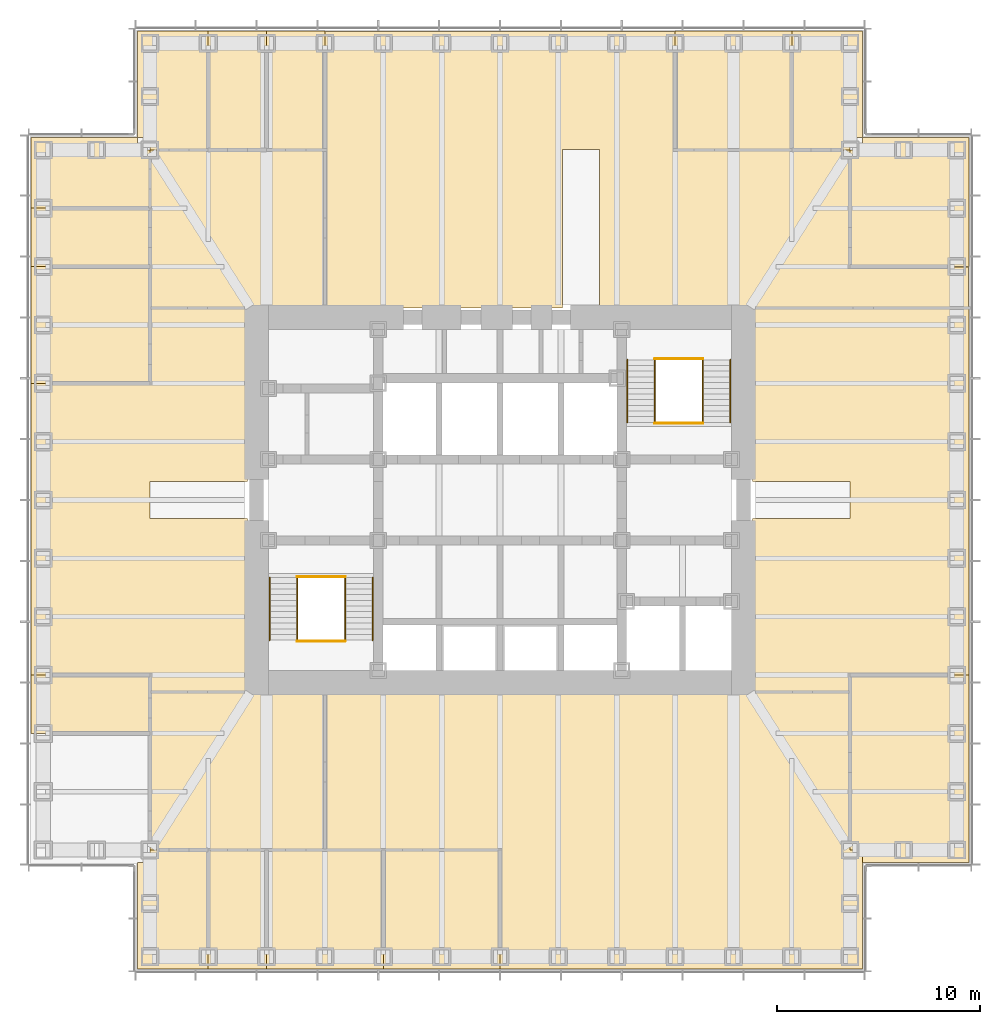
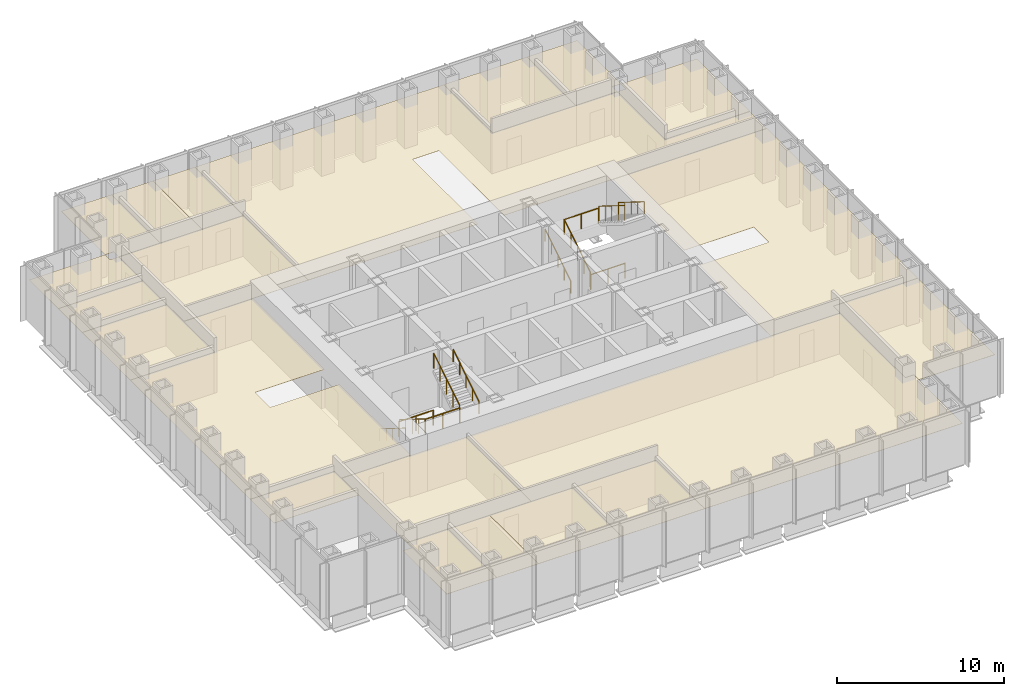
# One storey, part 17 of 17: 21 coverings, 12 railings.
"""IFC4 building model written with IfcOpenShell, lengths in metres."""

from ifc_helpers import new_model, si_unit, direction, frame, origin, origin_2d, place, context, subcontext, project, spatial, polyline, circle, outline, extrude, material, layer, layer_set, type_object, element, save


model = new_model("IFC4")

# Units and contexts
model_context = context("Model", 3, precision=1e-05, world=origin(), true_north=direction((0.0, 1.0)))
body_context = subcontext(model_context, "Body", "Model", "MODEL_VIEW")
ifc_project = project(units=[si_unit("LENGTHUNIT", "METRE"), si_unit("AREAUNIT", "SQUARE_METRE"), si_unit("VOLUMEUNIT", "CUBIC_METRE"), si_unit("PLANEANGLEUNIT", "RADIAN"), si_unit("MASSUNIT", "GRAM", prefix="KILO")], contexts=[model_context])

# Site, building, storey
site_placement = place(None, origin())
site = spatial("IfcSite", under=ifc_project, at=site_placement, CompositionType="ELEMENT")
building_placement = place(site_placement, origin())
building = spatial("IfcBuilding", under=site, at=building_placement, Name="Daluyong Arena Tower", CompositionType="ELEMENT")
storey_placement = place(building_placement, frame((0.0, 0.0, 158.5)))
storey = spatial("IfcBuildingStorey", under=building, at=storey_placement, Name="L35", CompositionType="ELEMENT", Elevation=158.5)

# Coverings
ifc_material_1 = material(Name="Mineral fibre ceiling tile", Category="gypsum board")
ifc_layer = layer(ifc_material_1, 0.02001953125)
ifc_layer_set = layer_set([ifc_layer], Name="Mineral fibre ceiling tile")
covering_type = type_object("IfcCoveringType", Name="Office ceiling", PredefinedType="CEILING", material=ifc_layer_set)
covering_1_placement = place(storey_placement, frame((0.0, 0.0, 2.89990234375)))
element("IfcCovering", 1, at=covering_1_placement, inside=storey, type_object=covering_type, Name="ceiling L35-01", PredefinedType="CEILING", context=body_context, shape_type="SweptSolid", body=[
    extrude(outline(polyline([(38.14990234375, 62.14990234375), (38.14990234375, 56.89990234375), (41.625, 56.89990234375), (41.625, 62.75), (38.75, 62.75), (38.75, 62.14990234375), (38.14990234375, 62.14990234375)])), origin(), (0.0, 0.0, 1.0), 0.02001953125),
])
covering_2_placement = place(storey_placement, frame((0.0, 0.0, 2.89990234375)))
element("IfcCovering", 2, at=covering_2_placement, inside=storey, type_object=covering_type, Name="ceiling L35-02", PredefinedType="CEILING", context=body_context, shape_type="SweptSolid", body=[
    extrude(outline(polyline([(41.625, 62.75), (41.625, 56.89990234375), (44.5, 56.89990234375), (44.5, 62.75), (41.625, 62.75)])), origin(), (0.0, 0.0, 1.0), 0.02001953125),
])
covering_3_placement = place(storey_placement, frame((0.0, 0.0, 2.89990234375)))
element("IfcCovering", 3, at=covering_3_placement, inside=storey, type_object=covering_type, Name="ceiling L35-03", PredefinedType="CEILING", context=body_context, shape_type="SweptSolid", body=[
    extrude(outline(polyline([(44.5, 62.75), (44.5, 56.89990234375), (50.25, 56.89990234375), (50.25, 62.75), (44.5, 62.75)])), origin(), (0.0, 0.0, 1.0), 0.02001953125),
])
covering_4_placement = place(storey_placement, frame((0.0, 0.0, 2.89990234375)))
element("IfcCovering", 4, at=covering_4_placement, inside=storey, type_object=covering_type, Name="ceiling L35-04", PredefinedType="CEILING", context=body_context, shape_type="SweptSolid", body=[
    extrude(outline(polyline([(50.25, 62.75), (50.25, 56.89990234375), (56.0, 56.89990234375), (56.0, 62.75), (50.25, 62.75)])), origin(), (0.0, 0.0, 1.0), 0.02001953125),
])
covering_5_placement = place(storey_placement, frame((0.0, 0.0, 2.89990234375)))
element("IfcCovering", 5, at=covering_5_placement, inside=storey, type_object=covering_type, Name="ceiling L35-05", PredefinedType="CEILING", context=body_context, shape_type="SweptSolid", body=[
    extrude(outline(polyline([(73.85009765625, 62.14990234375), (79.10009765625, 62.14990234375), (79.10009765625, 71.375), (73.25, 71.375), (73.25, 62.75), (73.85009765625, 62.75), (73.85009765625, 62.14990234375)])), origin(), (0.0, 0.0, 1.0), 0.02001953125),
])
covering_6_placement = place(storey_placement, frame((0.0, 0.0, 2.89990234375)))
element("IfcCovering", 6, at=covering_6_placement, inside=storey, type_object=covering_type, Name="ceiling L35-06", PredefinedType="CEILING", context=body_context, shape_type="SweptSolid", body=[
    extrude(outline(polyline([(73.25, 91.5), (79.10009765625, 91.5), (79.10009765625, 97.85009765625), (73.85009765625, 97.85009765625), (73.85009765625, 97.25), (73.25, 97.25), (73.25, 91.5)])), origin(), (0.0, 0.0, 1.0), 0.02001953125),
])
covering_7_placement = place(storey_placement, frame((0.0, 0.0, 2.89990234375)))
element("IfcCovering", 7, at=covering_7_placement, inside=storey, type_object=covering_type, Name="ceiling L35-07", PredefinedType="CEILING", context=body_context, shape_type="SweptSolid", body=[
    extrude(outline(polyline([(41.625, 97.25), (41.625, 103.10009765625), (38.14990234375, 103.10009765625), (38.14990234375, 97.85009765625), (38.75, 97.85009765625), (38.75, 97.25), (41.625, 97.25)])), origin(), (0.0, 0.0, 1.0), 0.02001953125),
])
covering_8_placement = place(storey_placement, frame((0.0, 0.0, 2.89990234375)))
element("IfcCovering", 8, at=covering_8_placement, inside=storey, type_object=covering_type, Name="ceiling L35-08", PredefinedType="CEILING", context=body_context, shape_type="SweptSolid", body=[
    extrude(outline(polyline([(44.5, 97.25), (44.5, 103.10009765625), (41.625, 103.10009765625), (41.625, 97.25), (44.5, 97.25)])), origin(), (0.0, 0.0, 1.0), 0.02001953125),
])
covering_9_placement = place(storey_placement, frame((0.0, 0.0, 2.89990234375)))
element("IfcCovering", 9, at=covering_9_placement, inside=storey, type_object=covering_type, Name="ceiling L35-09", PredefinedType="CEILING", context=body_context, shape_type="SweptSolid", body=[
    extrude(outline(polyline([(47.375, 97.25), (47.375, 103.10009765625), (44.5, 103.10009765625), (44.5, 97.25), (47.375, 97.25)])), origin(), (0.0, 0.0, 1.0), 0.02001953125),
])
covering_10_placement = place(storey_placement, frame((0.0, 0.0, 2.89990234375)))
element("IfcCovering", 10, at=covering_10_placement, inside=storey, type_object=covering_type, Name="ceiling L35-10", PredefinedType="CEILING", context=body_context, shape_type="SweptSolid", body=[
    extrude(outline(polyline([(70.375, 97.25), (70.375, 103.10009765625), (64.625, 103.10009765625), (64.625, 97.25), (70.375, 97.25)])), origin(), (0.0, 0.0, 1.0), 0.02001953125),
])
covering_11_placement = place(storey_placement, frame((0.0, 0.0, 2.89990234375)))
element("IfcCovering", 11, at=covering_11_placement, inside=storey, type_object=covering_type, Name="ceiling L35-11", PredefinedType="CEILING", context=body_context, shape_type="SweptSolid", body=[
    extrude(outline(polyline([(70.375, 97.25), (73.25, 97.25), (73.25, 97.85009765625), (73.85009765625, 97.85009765625), (73.85009765625, 103.10009765625), (70.375, 103.10009765625), (70.375, 97.25)])), origin(), (0.0, 0.0, 1.0), 0.02001953125),
])
covering_12_placement = place(storey_placement, frame((0.0, 0.0, 2.89990234375)))
element("IfcCovering", 12, at=covering_12_placement, inside=storey, type_object=covering_type, Name="ceiling L35-13", PredefinedType="CEILING", context=body_context, shape_type="SweptSolid", body=[
    extrude(outline(polyline([(38.75, 71.375), (32.89990234375, 71.375), (32.89990234375, 68.5), (38.75, 68.5), (38.75, 71.375)])), origin(), (0.0, 0.0, 1.0), 0.02001953125),
])
covering_13_placement = place(storey_placement, frame((0.0, 0.0, 2.89990234375)))
element("IfcCovering", 13, at=covering_13_placement, inside=storey, type_object=covering_type, Name="ceiling L35-14", PredefinedType="CEILING", context=body_context, shape_type="SweptSolid", body=[
    extrude(outline(polyline([(38.75, 91.5), (32.89990234375, 91.5), (32.89990234375, 85.75), (38.75, 85.75), (38.75, 91.5)])), origin(), (0.0, 0.0, 1.0), 0.02001953125),
])
covering_14_placement = place(storey_placement, frame((0.0, 0.0, 2.89990234375)))
element("IfcCovering", 14, at=covering_14_placement, inside=storey, type_object=covering_type, Name="ceiling L35-15", PredefinedType="CEILING", context=body_context, shape_type="SweptSolid", body=[
    extrude(outline(polyline([(38.75, 94.375), (32.89990234375, 94.375), (32.89990234375, 91.5), (38.75, 91.5), (38.75, 94.375)])), origin(), (0.0, 0.0, 1.0), 0.02001953125),
])
covering_15_placement = place(storey_placement, frame((0.0, 0.0, 2.89990234375)))
element("IfcCovering", 15, at=covering_15_placement, inside=storey, type_object=covering_type, Name="ceiling L35-16", PredefinedType="CEILING", context=body_context, shape_type="SweptSolid", body=[
    extrude(outline(polyline([(38.75, 94.375), (38.75, 97.25), (38.14990234375, 97.25), (38.14990234375, 97.85009765625), (32.89990234375, 97.85009765625), (32.89990234375, 94.375), (38.75, 94.375)])), origin(), (0.0, 0.0, 1.0), 0.02001953125),
])
covering_16_placement = place(storey_placement, frame((0.0, 0.0, 2.89990234375)))
element("IfcCovering", 16, at=covering_16_placement, inside=storey, type_object=covering_type, Name="ceiling L35-20", PredefinedType="CEILING", context=body_context, shape_type="SweptSolid", body=[
    extrude(outline(polyline([(79.10009765625, 71.375), (79.10009765625, 89.449951171875), (68.449951171875, 89.449951171875), (68.449951171875, 80.89990234375), (73.25, 80.89990234375), (73.25, 79.10009765625), (68.449951171875, 79.10009765625), (68.449951171875, 70.550048828125), (73.25, 70.550048828125), (73.25, 71.375), (79.10009765625, 71.375)])), origin(), (0.0, 0.0, 1.0), 0.02001953125),
])
covering_17_placement = place(storey_placement, frame((0.0, 0.0, 2.89990234375)))
element("IfcCovering", 17, at=covering_17_placement, inside=storey, type_object=covering_type, Name="ceiling L35-21", PredefinedType="CEILING", context=body_context, shape_type="SweptSolid", body=[
    extrude(outline(polyline([(38.75, 71.375), (38.75, 70.550048828125), (43.550048828125, 70.550048828125), (43.550048828125, 79.10009765625), (38.75, 79.10009765625), (38.75, 80.89990234375), (43.550048828125, 80.89990234375), (43.550048828125, 89.449951171875), (38.75, 89.449951171875), (38.75, 85.75), (32.89990234375, 85.75), (32.89990234375, 71.375), (38.75, 71.375)])), origin(), (0.0, 0.0, 1.0), 0.02001953125),
])
covering_18_placement = place(storey_placement, frame((0.0, 0.0, 2.89990234375)))
element("IfcCovering", 18, at=covering_18_placement, inside=storey, type_object=covering_type, Name="ceiling L35-22", PredefinedType="CEILING", context=body_context, shape_type="SweptSolid", body=[
    extrude(outline(polyline([(38.760009765625, 62.760009765625), (47.364990234375, 62.760009765625), (47.364990234375, 70.5400390625), (38.760009765625, 70.5400390625), (38.760009765625, 62.760009765625)])), origin(), (0.0, 0.0, 1.0), 0.02001953125),
])
covering_19_placement = place(storey_placement, frame((0.0, 0.0, 2.89990234375)))
element("IfcCovering", 19, at=covering_19_placement, inside=storey, type_object=covering_type, Name="ceiling L35-23", PredefinedType="CEILING", context=body_context, shape_type="SweptSolid", body=[
    extrude(outline(polyline([(73.25, 62.75), (73.25, 70.550048828125), (47.375, 70.550048828125), (47.375, 62.75), (56.0, 62.75), (56.0, 56.89990234375), (73.85009765625, 56.89990234375), (73.85009765625, 62.75), (73.25, 62.75)])), origin(), (0.0, 0.0, 1.0), 0.02001953125),
])
covering_20_placement = place(storey_placement, frame((0.0, 0.0, 2.89990234375)))
element("IfcCovering", 20, at=covering_20_placement, inside=storey, type_object=covering_type, Name="ceiling L35-24", PredefinedType="CEILING", context=body_context, shape_type="SweptSolid", body=[
    extrude(outline(polyline([(38.760009765625, 97.239990234375), (38.760009765625, 89.4599609375), (47.364990234375, 89.4599609375), (47.364990234375, 97.239990234375), (38.760009765625, 97.239990234375)])), origin(), (0.0, 0.0, 1.0), 0.02001953125),
])
covering_21_placement = place(storey_placement, frame((0.0, 0.0, 2.89990234375)))
element("IfcCovering", 21, at=covering_21_placement, inside=storey, type_object=covering_type, Name="ceiling L35-25", PredefinedType="CEILING", context=body_context, shape_type="SweptSolid", body=[
    extrude(outline(polyline([(64.614990234375, 103.090087890625), (47.385009765625, 103.090087890625), (47.385009765625, 89.4599609375), (59.090087890625, 89.4599609375), (59.090087890625, 97.260009765625), (60.909912109375, 97.260009765625), (60.909912109375, 89.4599609375), (79.090087890625, 89.4599609375), (79.090087890625, 91.489990234375), (73.239990234375, 91.489990234375), (73.239990234375, 97.239990234375), (64.614990234375, 97.239990234375), (64.614990234375, 103.090087890625)])), origin(), (0.0, 0.0, 1.0), 0.02001953125),
])

# Railings
ifc_material_2 = material(Name="Stainless steel handrail", Category="steel")
railing_type_1 = type_object("IfcRailingType", Name="Stair handrail", PredefinedType="HANDRAIL", material=ifc_material_2)
railing_1_placement = place(storey_placement, frame((44.64990234375, 76.175048828125, 0.175048828125)))
element("IfcRailing", 22, at=railing_1_placement, inside=storey, type_object=railing_type_1, Name="exit stair A handrail L35", PredefinedType="HANDRAIL", context=body_context, shape_type="SweptSolid", body=[
    extrude(circle(Radius=0.02392578125, at=origin_2d()), frame((0.0, 0.0, 0.8759765625), z_axis=(0.0, -0.847998304005, 0.529998940003), x_axis=(1.0, 0.0, 0.0)), (0.0, 0.0, 1.0), 3.632080078125),
    extrude(circle(Radius=0.02099609375, at=origin_2d()), origin(), (0.0, 0.0, 1.0), 0.851806640625),
    extrude(circle(Radius=0.02099609375, at=origin_2d()), frame((0.0, -0.77001953125, 0.481201171875)), (0.0, 0.0, 1.0), 0.851806640625),
    extrude(circle(Radius=0.02099609375, at=origin_2d()), frame((0.0, -1.5400390625, 0.96240234375)), (0.0, 0.0, 1.0), 0.851806640625),
    extrude(circle(Radius=0.02099609375, at=origin_2d()), frame((0.0, -2.31005859375, 1.44384765625)), (0.0, 0.0, 1.0), 0.851806640625),
    extrude(circle(Radius=0.02099609375, at=origin_2d()), frame((0.0, -3.080078125, 1.925048828125)), (0.0, 0.0, 1.0), 0.851806640625),
])
for number, where, name in (
    (23, (49.72509765625, 73.094970703125, 2.27490234375), "exit stair A handrail L35"),
    (24, (62.27490234375, 83.824951171875, 0.175048828125), "exit stair B handrail L35"),
):
    element("IfcRailing", number, at=place(storey_placement, frame(where)), inside=storey, type_object=railing_type_1, Name=name, PredefinedType="HANDRAIL", context=body_context, shape_type="SweptSolid", body=[
        extrude(circle(Radius=0.02392578125, at=origin_2d()), frame((0.0, 0.0, 0.8759765625), z_axis=(0.0, 0.847998304005, 0.529998940003), x_axis=(-1.0, 0.0, 0.0)), (0.0, 0.0, 1.0), 3.632080078125),
        extrude(circle(Radius=0.02099609375, at=origin_2d()), origin(), (0.0, 0.0, 1.0), 0.851806640625),
        extrude(circle(Radius=0.02099609375, at=origin_2d()), frame((0.0, 0.77001953125, 0.481201171875)), (0.0, 0.0, 1.0), 0.851806640625),
        extrude(circle(Radius=0.02099609375, at=origin_2d()), frame((0.0, 1.5400390625, 0.96240234375)), (0.0, 0.0, 1.0), 0.851806640625),
        extrude(circle(Radius=0.02099609375, at=origin_2d()), frame((0.0, 2.31005859375, 1.44384765625)), (0.0, 0.0, 1.0), 0.851806640625),
        extrude(circle(Radius=0.02099609375, at=origin_2d()), frame((0.0, 3.080078125, 1.925048828125)), (0.0, 0.0, 1.0), 0.851806640625),
    ])
railing_2_placement = place(storey_placement, frame((67.35009765625, 86.905029296875, 2.27490234375)))
element("IfcRailing", 25, at=railing_2_placement, inside=storey, type_object=railing_type_1, Name="exit stair B handrail L35", PredefinedType="HANDRAIL", context=body_context, shape_type="SweptSolid", body=[
    extrude(circle(Radius=0.02392578125, at=origin_2d()), frame((0.0, 0.0, 0.8759765625), z_axis=(0.0, -0.847998304005, 0.529998940003), x_axis=(1.0, 0.0, 0.0)), (0.0, 0.0, 1.0), 3.632080078125),
    extrude(circle(Radius=0.02099609375, at=origin_2d()), origin(), (0.0, 0.0, 1.0), 0.851806640625),
    extrude(circle(Radius=0.02099609375, at=origin_2d()), frame((0.0, -0.77001953125, 0.481201171875)), (0.0, 0.0, 1.0), 0.851806640625),
    extrude(circle(Radius=0.02099609375, at=origin_2d()), frame((0.0, -1.5400390625, 0.96240234375)), (0.0, 0.0, 1.0), 0.851806640625),
    extrude(circle(Radius=0.02099609375, at=origin_2d()), frame((0.0, -2.31005859375, 1.44384765625)), (0.0, 0.0, 1.0), 0.851806640625),
    extrude(circle(Radius=0.02099609375, at=origin_2d()), frame((0.0, -3.080078125, 1.925048828125)), (0.0, 0.0, 1.0), 0.851806640625),
])
ifc_material_3 = material(Name="Steel balustrade", Category="steel")
railing_type_2 = type_object("IfcRailingType", Name="Stair well guard 1100", PredefinedType="GUARDRAIL", material=ifc_material_3)
railing_3_placement = place(storey_placement, frame((46.0, 76.175048828125, 0.175048828125)))
element("IfcRailing", 26, at=railing_3_placement, inside=storey, type_object=railing_type_2, Name="exit stair A well guard L35", PredefinedType="GUARDRAIL", context=body_context, shape_type="SweptSolid", body=[
    extrude(circle(Radius=0.02392578125, at=origin_2d()), frame((0.0, 0.0, 1.076171875), z_axis=(0.0, -0.847998304005, 0.529998940003), x_axis=(1.0, 0.0, 0.0)), (0.0, 0.0, 1.0), 3.632080078125),
    extrude(circle(Radius=0.02099609375, at=origin_2d()), origin(), (0.0, 0.0, 1.0), 1.052001953125),
    extrude(circle(Radius=0.02099609375, at=origin_2d()), frame((0.0, -0.77001953125, 0.481201171875)), (0.0, 0.0, 1.0), 1.052001953125),
    extrude(circle(Radius=0.02099609375, at=origin_2d()), frame((0.0, -1.5400390625, 0.96240234375)), (0.0, 0.0, 1.0), 1.052001953125),
    extrude(circle(Radius=0.02099609375, at=origin_2d()), frame((0.0, -2.31005859375, 1.44384765625)), (0.0, 0.0, 1.0), 1.052001953125),
    extrude(circle(Radius=0.02099609375, at=origin_2d()), frame((0.0, -3.080078125, 1.925048828125)), (0.0, 0.0, 1.0), 1.052001953125),
])
railing_4_placement = place(storey_placement, frame((48.375, 73.094970703125, 2.27490234375)))
element("IfcRailing", 27, at=railing_4_placement, inside=storey, type_object=railing_type_2, Name="exit stair A well guard L35", PredefinedType="GUARDRAIL", context=body_context, shape_type="SweptSolid", body=[
    extrude(circle(Radius=0.02392578125, at=origin_2d()), frame((0.0, 0.0, 1.076171875), z_axis=(0.0, 0.847998304005, 0.529998940003), x_axis=(-1.0, 0.0, 0.0)), (0.0, 0.0, 1.0), 3.632080078125),
    extrude(circle(Radius=0.02099609375, at=origin_2d()), origin(), (0.0, 0.0, 1.0), 1.052001953125),
    extrude(circle(Radius=0.02099609375, at=origin_2d()), frame((0.0, 0.77001953125, 0.481201171875)), (0.0, 0.0, 1.0), 1.052001953125),
    extrude(circle(Radius=0.02099609375, at=origin_2d()), frame((0.0, 1.5400390625, 0.96240234375)), (0.0, 0.0, 1.0), 1.052001953125),
    extrude(circle(Radius=0.02099609375, at=origin_2d()), frame((0.0, 2.31005859375, 1.44384765625)), (0.0, 0.0, 1.0), 1.052001953125),
    extrude(circle(Radius=0.02099609375, at=origin_2d()), frame((0.0, 3.080078125, 1.925048828125)), (0.0, 0.0, 1.0), 1.052001953125),
])
for number, where, name in (
    (28, (46.0, 73.044921875, 2.10009765625), "exit stair A landing guard L35"),
    (29, (46.0, 76.22509765625, 0.0), "exit stair A floor landing guard L35"),
):
    element("IfcRailing", number, at=place(storey_placement, frame(where)), inside=storey, type_object=railing_type_2, Name=name, PredefinedType="GUARDRAIL", context=body_context, shape_type="SweptSolid", body=[
        extrude(circle(Radius=0.02392578125, at=origin_2d()), frame((0.0, 0.0, 1.076171875), z_axis=(1.0, 0.0, 0.0), x_axis=(0.0, 1.0, 0.0)), (0.0, 0.0, 1.0), 2.375),
        extrude(circle(Radius=0.02099609375, at=origin_2d()), origin(), (0.0, 0.0, 1.0), 1.052001953125),
        extrude(circle(Radius=0.02099609375, at=origin_2d()), frame((1.1875, 0.0, 0.0)), (0.0, 0.0, 1.0), 1.052001953125),
        extrude(circle(Radius=0.02099609375, at=origin_2d()), frame((2.375, 0.0, 0.0)), (0.0, 0.0, 1.0), 1.052001953125),
    ])
railing_5_placement = place(storey_placement, frame((63.625, 83.824951171875, 0.175048828125)))
element("IfcRailing", 30, at=railing_5_placement, inside=storey, type_object=railing_type_2, Name="exit stair B well guard L35", PredefinedType="GUARDRAIL", context=body_context, shape_type="SweptSolid", body=[
    extrude(circle(Radius=0.02392578125, at=origin_2d()), frame((0.0, 0.0, 1.076171875), z_axis=(0.0, 0.847998304005, 0.529998940003), x_axis=(-1.0, 0.0, 0.0)), (0.0, 0.0, 1.0), 3.632080078125),
    extrude(circle(Radius=0.02099609375, at=origin_2d()), origin(), (0.0, 0.0, 1.0), 1.052001953125),
    extrude(circle(Radius=0.02099609375, at=origin_2d()), frame((0.0, 0.77001953125, 0.481201171875)), (0.0, 0.0, 1.0), 1.052001953125),
    extrude(circle(Radius=0.02099609375, at=origin_2d()), frame((0.0, 1.5400390625, 0.96240234375)), (0.0, 0.0, 1.0), 1.052001953125),
    extrude(circle(Radius=0.02099609375, at=origin_2d()), frame((0.0, 2.31005859375, 1.44384765625)), (0.0, 0.0, 1.0), 1.052001953125),
    extrude(circle(Radius=0.02099609375, at=origin_2d()), frame((0.0, 3.080078125, 1.925048828125)), (0.0, 0.0, 1.0), 1.052001953125),
])
railing_6_placement = place(storey_placement, frame((66.0, 86.905029296875, 2.27490234375)))
element("IfcRailing", 31, at=railing_6_placement, inside=storey, type_object=railing_type_2, Name="exit stair B well guard L35", PredefinedType="GUARDRAIL", context=body_context, shape_type="SweptSolid", body=[
    extrude(circle(Radius=0.02392578125, at=origin_2d()), frame((0.0, 0.0, 1.076171875), z_axis=(0.0, -0.847998304005, 0.529998940003), x_axis=(1.0, 0.0, 0.0)), (0.0, 0.0, 1.0), 3.632080078125),
    extrude(circle(Radius=0.02099609375, at=origin_2d()), origin(), (0.0, 0.0, 1.0), 1.052001953125),
    extrude(circle(Radius=0.02099609375, at=origin_2d()), frame((0.0, -0.77001953125, 0.481201171875)), (0.0, 0.0, 1.0), 1.052001953125),
    extrude(circle(Radius=0.02099609375, at=origin_2d()), frame((0.0, -1.5400390625, 0.96240234375)), (0.0, 0.0, 1.0), 1.052001953125),
    extrude(circle(Radius=0.02099609375, at=origin_2d()), frame((0.0, -2.31005859375, 1.44384765625)), (0.0, 0.0, 1.0), 1.052001953125),
    extrude(circle(Radius=0.02099609375, at=origin_2d()), frame((0.0, -3.080078125, 1.925048828125)), (0.0, 0.0, 1.0), 1.052001953125),
])
for number, where, name in (
    (32, (63.625, 86.955078125, 2.10009765625), "exit stair B landing guard L35"),
    (33, (63.625, 83.77490234375, 0.0), "exit stair B floor landing guard L35"),
):
    element("IfcRailing", number, at=place(storey_placement, frame(where)), inside=storey, type_object=railing_type_2, Name=name, PredefinedType="GUARDRAIL", context=body_context, shape_type="SweptSolid", body=[
        extrude(circle(Radius=0.02392578125, at=origin_2d()), frame((0.0, 0.0, 1.076171875), z_axis=(1.0, 0.0, 0.0), x_axis=(0.0, 1.0, 0.0)), (0.0, 0.0, 1.0), 2.375),
        extrude(circle(Radius=0.02099609375, at=origin_2d()), origin(), (0.0, 0.0, 1.0), 1.052001953125),
        extrude(circle(Radius=0.02099609375, at=origin_2d()), frame((1.1875, 0.0, 0.0)), (0.0, 0.0, 1.0), 1.052001953125),
        extrude(circle(Radius=0.02099609375, at=origin_2d()), frame((2.375, 0.0, 0.0)), (0.0, 0.0, 1.0), 1.052001953125),
    ])

save(model, "model.ifc")
